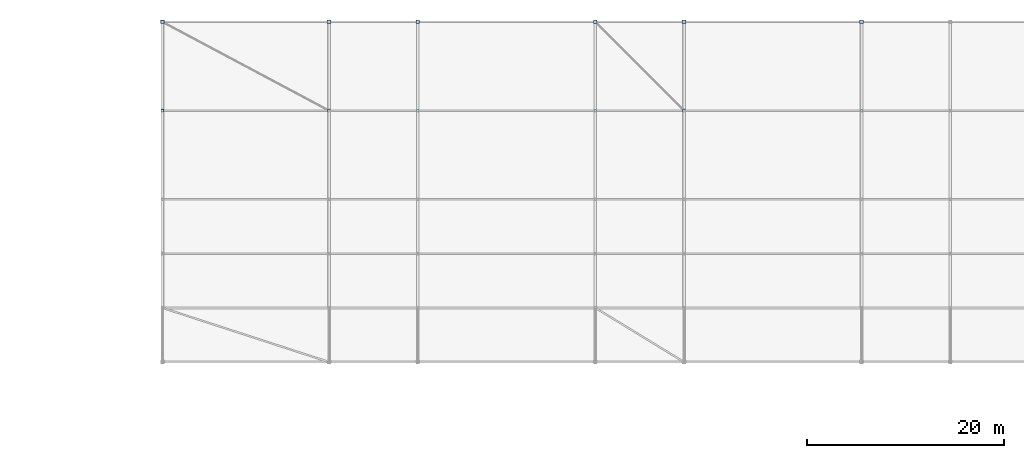
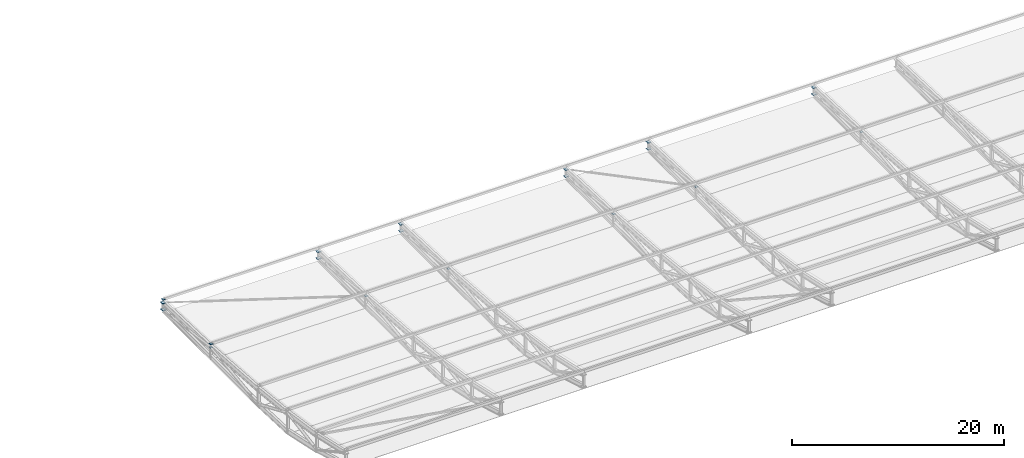
# One storey, part 101 of 114: 20 plates.
"""IFC4 building model written with IfcOpenShell, lengths in metres."""

from ifc_helpers import new_model, si_unit, direction, frame, origin, origin_2d, place, context, subcontext, project, spatial, rectangle, extrude, material, layer, layer_set, type_object, element, save


model = new_model("IFC4")

# Units and contexts
model_context = context("Model", 3, precision=1e-05, world=origin(), true_north=direction((0.0, 1.0)))
body_context = subcontext(model_context, "Body", "Model", "MODEL_VIEW")
ifc_project = project(units=[si_unit("LENGTHUNIT", "METRE"), si_unit("AREAUNIT", "SQUARE_METRE"), si_unit("VOLUMEUNIT", "CUBIC_METRE"), si_unit("PLANEANGLEUNIT", "RADIAN"), si_unit("MASSUNIT", "GRAM", prefix="KILO"), si_unit("THERMODYNAMICTEMPERATUREUNIT", "KELVIN"), si_unit("POWERUNIT", "WATT")], contexts=[model_context])

# Site, building, storey
site_placement = place(None, origin())
site = spatial("IfcSite", under=ifc_project, at=site_placement, CompositionType="ELEMENT")
building_placement = place(site_placement, origin())
building = spatial("IfcBuilding", under=site, at=building_placement, Name="Sindhuravela Promenade Stadium", CompositionType="ELEMENT")
storey_placement = place(building_placement, frame((0.0, 0.0, 24.0)))
storey = spatial("IfcBuildingStorey", under=building, at=storey_placement, Name="L05", CompositionType="ELEMENT", Elevation=24.0)

# Plates
ifc_material = material(Name="Steel E350 (IS 2062 E350BR)", Category="steel")
ifc_layer_1 = layer(ifc_material, 0.02392578125)
ifc_layer_set_1 = layer_set([ifc_layer_1], Name="Steel E350 (IS 2062 E350BR)")
plate_type_1 = type_object("IfcPlateType", Name="ST-PL-CAP24", PredefinedType="USERDEFINED", material=ifc_layer_set_1)
for number, where, z_axis, x_axis, name in (
    (1, (55.10009765625, 153.0, 1.179931640625), (0.0, 0.0, 1.0), (1.0, 0.0, 0.0), "Purlin end cap plate CP01 N-37"),
    (2, (55.10009765625, 144.0, 1.507080078125), (0.0, 0.0, 1.0), (1.0, 0.0, 0.0), "Purlin end cap plate CP01 N-38"),
    (3, (72.0, 144.0, 1.115234375), (0.0, 0.0, 1.0), (1.0, 0.0, 0.0), "Brace end cap plate CP01 N-43"),
    (4, (108.0, 144.0, 1.115234375), (0.0, 0.0, 1.0), (1.0, 0.0, 0.0), "Brace end cap plate CP01 N-45"),
):
    element("IfcPlate", number, at=place(storey_placement, frame(where, z_axis=z_axis, x_axis=x_axis)), inside=storey, type_object=plate_type_1, Name=name, ObjectType="GUSSET PLATE", PredefinedType="USERDEFINED", context=body_context, shape_type="SweptSolid", body=[
        extrude(rectangle(XDim=0.280029296875, YDim=0.280029296875, at=origin_2d()), origin(), (0.0, 0.0, 1.0), 0.02392578125),
    ])
for number, where, z_axis, x_axis, name in (
    (5, (55.10009765625, 144.0, 1.115234375), (0.0, 0.0, 1.0), (1.0, 0.0, 0.0), "Brace end gusset plate CP01 BR-0160B"),
    (6, (81.0, 144.0, 1.115234375), (0.0, 0.0, 1.0), (1.0, 0.0, 0.0), "Brace end gusset plate CP01 BR-0167B"),
    (7, (99.0, 144.0, 1.115234375), (0.0, 0.0, 1.0), (1.0, 0.0, 0.0), "Brace end gusset plate CP01 BR-0171B"),
    (8, (126.0, 144.0, 1.115234375), (0.0, 0.0, 1.0), (1.0, 0.0, 0.0), "Brace end gusset plate CP01 BR-0178B"),
):
    element("IfcPlate", number, at=place(storey_placement, frame(where, z_axis=z_axis, x_axis=x_axis)), inside=storey, type_object=plate_type_1, Name=name, ObjectType="GUSSET PLATE", PredefinedType="USERDEFINED", context=body_context, shape_type="SweptSolid", body=[
        extrude(rectangle(XDim=0.260009765625, YDim=0.260009765625, at=origin_2d()), origin(), (0.0, 0.0, 1.0), 0.02392578125),
    ])
ifc_layer_2 = layer(ifc_material, 0.033935546875)
ifc_layer_set_2 = layer_set([ifc_layer_2], Name="Steel E350 (IS 2062 E350BR)")
plate_type_2 = type_object("IfcPlateType", Name="ST-PL-CAP34", PredefinedType="USERDEFINED", material=ifc_layer_set_2)
for number, where, z_axis, x_axis, name in (
    (9, (55.10009765625, 153.0, 0.783203125), (0.0, 0.0, 1.0), (1.0, 0.0, 0.0), "Truss end gusset cap plate CP02 N01-1T"),
    (10, (55.10009765625, 153.0, -0.01708984375), (0.0, 0.0, 1.0), (1.0, 0.0, 0.0), "Truss end gusset cap plate CP02 N01-1B"),
    (11, (72.0, 153.0, 0.783203125), (0.0, 0.0, 1.0), (1.0, 0.0, 0.0), "Truss end gusset cap plate CP02 N02-1T"),
    (12, (72.0, 153.0, -0.01708984375), (0.0, 0.0, 1.0), (1.0, 0.0, 0.0), "Truss end gusset cap plate CP02 N02-1B"),
    (13, (81.0, 153.0, 0.783203125), (0.0, 0.0, 1.0), (1.0, 0.0, 0.0), "Truss end gusset cap plate CP02 N03-1T"),
    (14, (81.0, 153.0, -0.01708984375), (0.0, 0.0, 1.0), (1.0, 0.0, 0.0), "Truss end gusset cap plate CP02 N03-1B"),
    (15, (99.0, 153.0, 0.783203125), (0.0, 0.0, 1.0), (1.0, 0.0, 0.0), "Truss end gusset cap plate CP02 N04-1T"),
    (16, (99.0, 153.0, -0.01708984375), (0.0, 0.0, 1.0), (1.0, 0.0, 0.0), "Truss end gusset cap plate CP02 N04-1B"),
    (17, (108.0, 153.0, 0.783203125), (0.0, 0.0, 1.0), (1.0, 0.0, 0.0), "Truss end gusset cap plate CP02 N05-1T"),
    (18, (108.0, 153.0, -0.01708984375), (0.0, 0.0, 1.0), (1.0, 0.0, 0.0), "Truss end gusset cap plate CP02 N05-1B"),
    (19, (126.0, 153.0, 0.783203125), (0.0, 0.0, 1.0), (1.0, 0.0, 0.0), "Truss end gusset cap plate CP02 N06-1T"),
    (20, (126.0, 153.0, -0.01708984375), (0.0, 0.0, 1.0), (1.0, 0.0, 0.0), "Truss end gusset cap plate CP02 N06-1B"),
):
    element("IfcPlate", number, at=place(storey_placement, frame(where, z_axis=z_axis, x_axis=x_axis)), inside=storey, type_object=plate_type_2, Name=name, ObjectType="GUSSET PLATE", PredefinedType="USERDEFINED", context=body_context, shape_type="SweptSolid", body=[
        extrude(rectangle(XDim=0.3798828125, YDim=0.3798828125, at=origin_2d()), origin(), (0.0, 0.0, 1.0), 0.033935546875),
    ])

save(model, "model.ifc")
